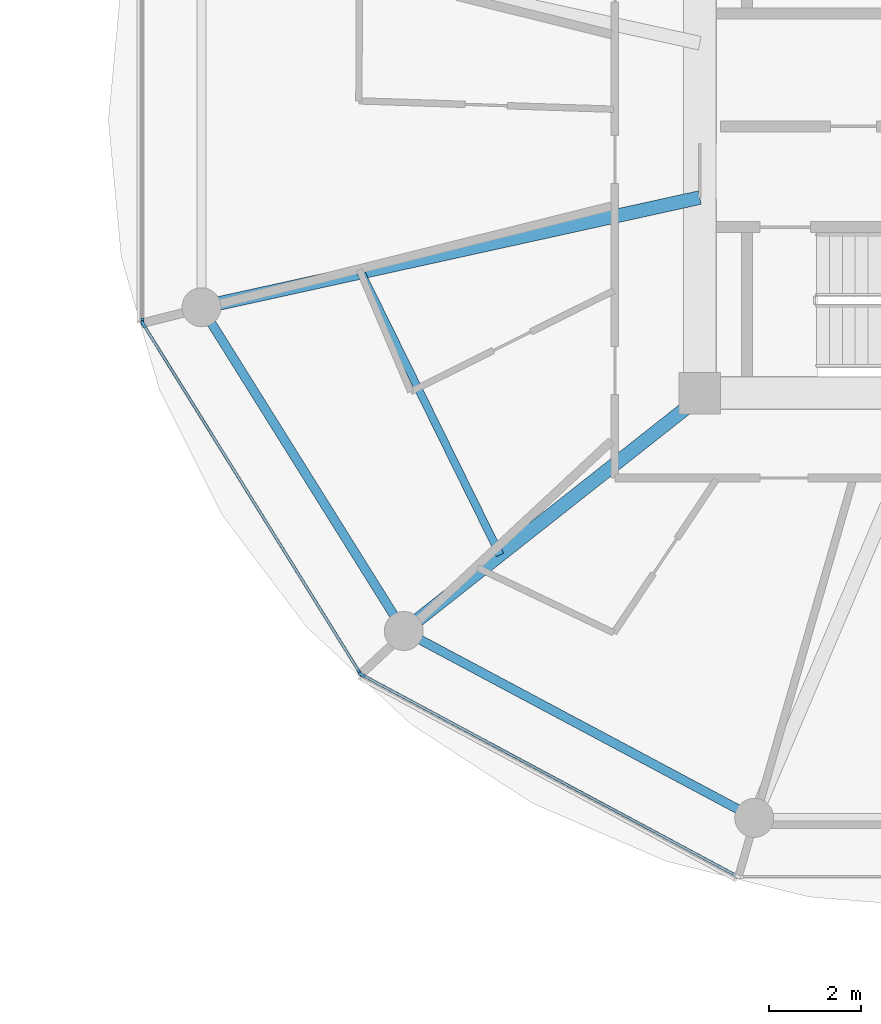
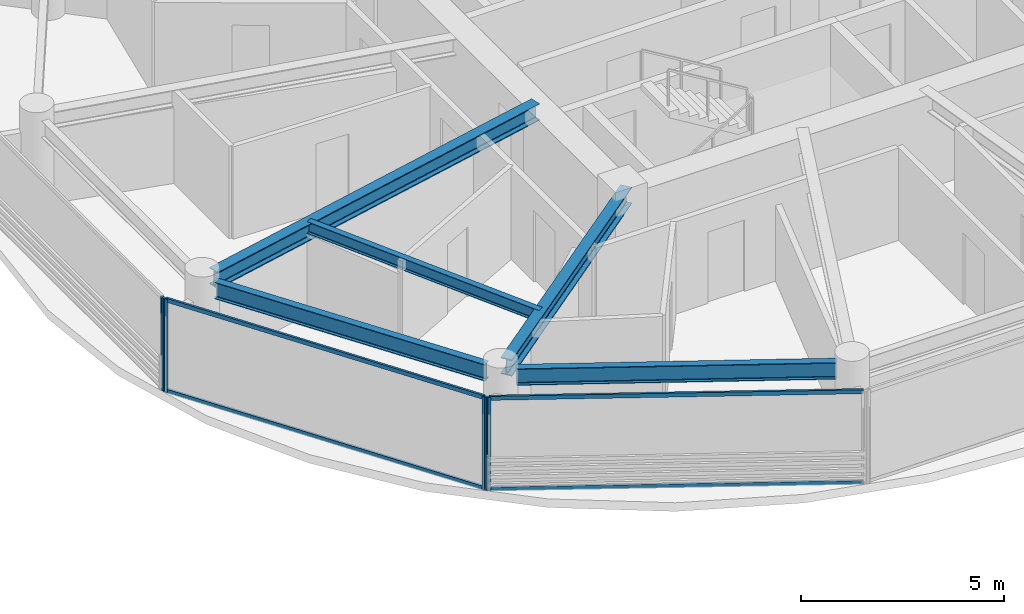
# One storey, part 6 of 24: 8 members, 5 beams, 3 elements without a shape of their own.
"""IFC4 building model written with IfcOpenShell, lengths in metres."""

from ifc_helpers import new_model, si_unit, direction, frame, origin, origin_2d, place, context, subcontext, project, spatial, rectangle, i_section, extrude, source, transform, mapped, material, layer, layer_set, material_profile, profile_set, type_object, type_shapes, element, aggregate, save


model = new_model("IFC4")

# Units and contexts
model_context = context("Model", 3, precision=1e-05, world=origin(), true_north=direction((0.0, 1.0)))
body_context = subcontext(model_context, "Body", "Model", "MODEL_VIEW")
ifc_project = project(units=[si_unit("LENGTHUNIT", "METRE"), si_unit("AREAUNIT", "SQUARE_METRE"), si_unit("VOLUMEUNIT", "CUBIC_METRE"), si_unit("PLANEANGLEUNIT", "RADIAN"), si_unit("MASSUNIT", "GRAM", prefix="KILO")], contexts=[model_context])

# Site, building, storey
site_placement = place(None, origin())
site = spatial("IfcSite", under=ifc_project, at=site_placement, CompositionType="ELEMENT")
building_placement = place(site_placement, origin())
building = spatial("IfcBuilding", under=site, at=building_placement, Name="Norrkilde Senior Care Towers", CompositionType="ELEMENT")
storey_placement = place(building_placement, frame((0.0, 0.0, 108.449951171875)))
storey = spatial("IfcBuildingStorey", under=building, at=storey_placement, Name="L33", CompositionType="ELEMENT", Elevation=108.449951171875)

# Beams
ifc_material_1 = material(Name="Steel S355", Category="steel")
ifc_material_profile_1 = material_profile(ifc_material_1, i_section(OverallWidth=0.199951171875, OverallDepth=0.5, WebThickness=0.01025390625, FlangeThickness=0.01611328125, FilletRadius=0.02099609375, at=origin_2d()), Name="IPE 500")
ifc_profile_set_1 = profile_set([ifc_material_profile_1], Name="Steel S355")
beam_type_1 = type_object("IfcBeamType", Name="Perimeter Ring Spandrel Z2 IPE500", PredefinedType="SPANDREL", material=ifc_profile_set_1)
shared_shape_1 = source(origin(), body_context, "Body", "SweptSolid", [
    extrude(i_section(OverallWidth=0.199951171875, OverallDepth=0.5, WebThickness=0.01025390625, FlangeThickness=0.01611328125, FilletRadius=0.02099609375, at=origin_2d()), origin(), (0.0, 0.0, 1.0), 7.55615234375),
])
beam_1_placement = place(storey_placement, frame((9.68505859375, -4.40283203125, 2.5400390625), z_axis=(0.529981514254, -0.848009194849, 0.0), x_axis=(0.848009194849, 0.529981514254, 0.0)))
element("IfcBeam", 1, at=beam_1_placement, inside=storey, type_object=beam_type_1, Name="L33 Drum E Perimeter Spandrel 07", PredefinedType="SPANDREL", context=body_context, shape_type="MappedRepresentation", body=[
    mapped(shared_shape_1, transform((0.0, 0.0, 0.0), x_axis=(1.0, 0.0, 0.0), y_axis=(0.0, 1.0, 0.0), z_axis=(0.0, 0.0, 1.0), scale=1.0)),
])
ifc_material_profile_2 = material_profile(ifc_material_1, i_section(OverallWidth=0.300048828125, OverallDepth=0.5, WebThickness=0.014404296875, FlangeThickness=0.028076171875, FilletRadius=0.027099609375, at=origin_2d()), Name="HEB 500")
ifc_profile_set_2 = profile_set([ifc_material_profile_2], Name="Steel S355")
beam_type_2 = type_object("IfcBeamType", Name="Radial Floor Beam Z2 HEB500", PredefinedType="BEAM", material=ifc_profile_set_2)
shared_shape_2 = source(origin(), body_context, "Body", "SweptSolid", [
    extrude(i_section(OverallWidth=0.300048828125, OverallDepth=0.5, WebThickness=0.014404296875, FlangeThickness=0.028076171875, FilletRadius=0.027099609375, at=origin_2d()), origin(), (0.0, 0.0, 1.0), 10.744384765625),
])
beam_2_placement = place(storey_placement, frame((20.35009765625, -1.683837890625, 2.5400390625), z_axis=(-0.976618711422, -0.214978818724, 0.0), x_axis=(0.214978818724, -0.976618711422, 0.0)))
element("IfcBeam", 2, at=beam_2_placement, inside=storey, type_object=beam_type_2, Name="L33 Drum E Radial Floor Beam 07", PredefinedType="BEAM", context=body_context, shape_type="MappedRepresentation", body=[
    mapped(shared_shape_2, transform((0.0, 0.0, 0.0), x_axis=(1.0, 0.0, 0.0), y_axis=(0.0, 1.0, 0.0), z_axis=(0.0, 0.0, 1.0), scale=1.0)),
])
shared_shape_3 = source(origin(), body_context, "Body", "SweptSolid", [
    extrude(i_section(OverallWidth=0.199951171875, OverallDepth=0.5, WebThickness=0.01025390625, FlangeThickness=0.01611328125, FilletRadius=0.02099609375, at=origin_2d()), origin(), (0.0, 0.0, 1.0), 7.892333984375),
])
type_shapes(beam_type_1, [shared_shape_1, shared_shape_3])
beam_3_placement = place(storey_placement, frame((14.233642578125, -11.318115234375, 2.5400390625), z_axis=(0.882350372282, -0.47059305194, 0.0), x_axis=(0.47059305194, 0.882350372282, 0.0)))
element("IfcBeam", 3, at=beam_3_placement, inside=storey, type_object=beam_type_1, Name="L33 Drum E Perimeter Spandrel 08", PredefinedType="SPANDREL", context=body_context, shape_type="MappedRepresentation", body=[
    mapped(shared_shape_3, transform((0.0, 0.0, 0.0), x_axis=(1.0, 0.0, 0.0), y_axis=(0.0, 1.0, 0.0), z_axis=(0.0, 0.0, 1.0), scale=1.0)),
])
shared_shape_4 = source(origin(), body_context, "Body", "SweptSolid", [
    extrude(i_section(OverallWidth=0.300048828125, OverallDepth=0.5, WebThickness=0.014404296875, FlangeThickness=0.028076171875, FilletRadius=0.027099609375, at=origin_2d()), origin(), (0.0, 0.0, 1.0), 7.985595703125),
])
type_shapes(beam_type_2, [shared_shape_2, shared_shape_4])
beam_4_placement = place(storey_placement, frame((20.463623046875, -5.949951171875, 2.5400390625), z_axis=(-0.784858505144, -0.619675017169, 0.0), x_axis=(0.619675017169, -0.784858505144, 0.0)))
element("IfcBeam", 4, at=beam_4_placement, inside=storey, type_object=beam_type_2, Name="L33 Drum E Radial Floor Beam 08", PredefinedType="BEAM", context=body_context, shape_type="MappedRepresentation", body=[
    mapped(shared_shape_4, transform((0.0, 0.0, 0.0), x_axis=(1.0, 0.0, 0.0), y_axis=(0.0, 1.0, 0.0), z_axis=(0.0, 0.0, 1.0), scale=1.0)),
])
ifc_material_profile_3 = material_profile(ifc_material_1, i_section(OverallWidth=0.169921875, OverallDepth=0.360107421875, WebThickness=0.008056640625, FlangeThickness=0.0126953125, FilletRadius=0.01806640625, at=origin_2d()), Name="IPE 360")
ifc_profile_set_3 = profile_set([ifc_material_profile_3], Name="Steel S355")
beam_type_3 = type_object("IfcBeamType", Name="Secondary Floor Joist IPE360", PredefinedType="JOIST", material=ifc_profile_set_3)
shared_shape_5 = source(origin(), body_context, "Body", "SweptSolid", [
    extrude(i_section(OverallWidth=0.169921875, OverallDepth=0.360107421875, WebThickness=0.008056640625, FlangeThickness=0.0126953125, FilletRadius=0.01806640625, at=origin_2d()), origin(), (0.0, 0.0, 1.0), 6.87353515625),
])
type_shapes(beam_type_3, [shared_shape_5])
beam_5_placement = place(storey_placement, frame((12.958984375, -3.310791015625, 2.610107421875), z_axis=(0.44184939592, -0.897089243791, 0.0), x_axis=(0.897089243791, 0.44184939592, 0.0)))
element("IfcBeam", 5, at=beam_5_placement, inside=storey, type_object=beam_type_3, Name="L33 Drum E Secondary Floor Joist 3", PredefinedType="JOIST", context=body_context, shape_type="MappedRepresentation", body=[
    mapped(shared_shape_5, transform((0.0, 0.0, 0.0), x_axis=(1.0, 0.0, 0.0), y_axis=(0.0, 1.0, 0.0), z_axis=(0.0, 0.0, 1.0), scale=1.0)),
])

# Curtain wall, member
ifc_material_2 = material(Name="Triple Low-E Insulated Glazing", Category="glass")
ifc_layer = layer(ifc_material_2, 0.195068359375)
ifc_layer_set = layer_set([ifc_layer], Name="Triple Low-E Insulated Glazing")
curtain_wall_type = type_object("IfcCurtainWallType", Name="CW3 Zone 2 Assisted Living Curtain Wall", PredefinedType="NOTDEFINED", material=ifc_layer_set)
curtain_wall_1_placement = place(storey_placement, origin())
curtain_wall_1 = element("IfcCurtainWall", 6, at=curtain_wall_1_placement, inside=storey, type_object=curtain_wall_type, Name="L33 Drum E Curtain Wall 05", PredefinedType="NOTDEFINED")
ifc_material_3 = material(Name="Anodised Aluminium", Category="aluminium")
ifc_material_profile_4 = material_profile(ifc_material_3, rectangle(XDim=0.06494140625, YDim=0.159912109375, at=origin_2d()), Name="ALU MULL 65x160")
ifc_profile_set_4 = profile_set([ifc_material_profile_4], Name="Anodised Aluminium")
member_type_1 = type_object("IfcMemberType", Name="Curtain Wall Mullion Z1-Z2 65x160", PredefinedType="MULLION", material=ifc_profile_set_4)
shared_shape_6 = source(origin(), body_context, "Body", "SweptSolid", [
    extrude(rectangle(XDim=0.06494140625, YDim=0.159912109375, at=origin_2d()), origin(), (0.0, 0.0, 1.0), 2.7900390625),
])
type_shapes(member_type_1, [shared_shape_6])
member_1_placement = place(storey_placement, frame((8.1962890625, -4.38818359375, 0.0), z_axis=(0.0, 0.0, 1.0), x_axis=(-1.0, 0.0, 0.0)))
member_1 = element("IfcMember", 7, at=member_1_placement, type_object=member_type_1, Name="CW-3 mullion 1", PredefinedType="MULLION", context=body_context, shape_type="MappedRepresentation", body=[
    mapped(shared_shape_6, transform((0.0, 0.0, 0.0), x_axis=(1.0, 0.0, 0.0), y_axis=(0.0, 1.0, 0.0), z_axis=(0.0, 0.0, 1.0), scale=1.0)),
])
aggregate(curtain_wall_1, [member_1])

# Curtain wall, members
curtain_wall_2_placement = place(storey_placement, origin())
curtain_wall_2 = element("IfcCurtainWall", 8, at=curtain_wall_2_placement, inside=storey, type_object=curtain_wall_type, Name="L33 Drum E Curtain Wall 06", PredefinedType="NOTDEFINED")
member_2_placement = place(storey_placement, frame((12.936279296875, -12.0498046875, 0.0), z_axis=(0.0, 0.0, 1.0), x_axis=(-0.849410171862, -0.527733228002, 0.0)))
member_2 = element("IfcMember", 9, at=member_2_placement, type_object=member_type_1, Name="CW-3 mullion 1", PredefinedType="MULLION", context=body_context, shape_type="MappedRepresentation", body=[
    mapped(shared_shape_6, transform((0.0, 0.0, 0.0), x_axis=(1.0, 0.0, 0.0), y_axis=(0.0, 1.0, 0.0), z_axis=(0.0, 0.0, 1.0), scale=1.0)),
])
member_3_placement = place(storey_placement, frame((8.21337890625, -4.4482421875, 0.0), z_axis=(0.0, 0.0, 1.0), x_axis=(-0.849410171862, -0.527733228002, 0.0)))
member_3 = element("IfcMember", 10, at=member_3_placement, type_object=member_type_1, Name="CW-3 mullion 2", PredefinedType="MULLION", context=body_context, shape_type="MappedRepresentation", body=[
    mapped(shared_shape_6, transform((0.0, 0.0, 0.0), x_axis=(1.0, 0.0, 0.0), y_axis=(0.0, 1.0, 0.0), z_axis=(0.0, 0.0, 1.0), scale=1.0)),
])

# Curtain wall, member
curtain_wall_3_placement = place(storey_placement, origin())
curtain_wall_3 = element("IfcCurtainWall", 11, at=curtain_wall_3_placement, inside=storey, type_object=curtain_wall_type, Name="L33 Drum E Curtain Wall 07", PredefinedType="NOTDEFINED")
member_4_placement = place(storey_placement, frame((12.98193359375, -12.0927734375, 0.0), z_axis=(0.0, 0.0, 1.0), x_axis=(-0.472769402511, -0.881186184668, 0.0)))
member_4 = element("IfcMember", 12, at=member_4_placement, type_object=member_type_1, Name="CW-3 mullion 2", PredefinedType="MULLION", context=body_context, shape_type="MappedRepresentation", body=[
    mapped(shared_shape_6, transform((0.0, 0.0, 0.0), x_axis=(1.0, 0.0, 0.0), y_axis=(0.0, 1.0, 0.0), z_axis=(0.0, 0.0, 1.0), scale=1.0)),
])

# Member
ifc_material_profile_5 = material_profile(ifc_material_3, rectangle(XDim=0.06005859375, YDim=0.1201171875, at=origin_2d()), Name="ALU TRAN 60x120")
ifc_profile_set_5 = profile_set([ifc_material_profile_5], Name="Anodised Aluminium")
member_type_2 = type_object("IfcMemberType", Name="Curtain Wall Transom Typical 60x120", PredefinedType="USERDEFINED", material=ifc_profile_set_5)
shared_shape_7 = source(origin(), body_context, "Body", "SweptSolid", [
    extrude(rectangle(XDim=0.06005859375, YDim=0.1201171875, at=origin_2d()), origin(), (0.0, 0.0, 1.0), 8.88427734375),
])
member_5_placement = place(storey_placement, frame((12.919189453125, -12.022216796875, 0.030029296875), z_axis=(-0.527749293309, 0.849400190377, 0.0), x_axis=(-0.849400190377, -0.527749293309, 0.0)))
member_5 = element("IfcMember", 13, at=member_5_placement, type_object=member_type_2, Name="CW-3 transom 1.1", ObjectType="TRANSOM", PredefinedType="USERDEFINED", context=body_context, shape_type="MappedRepresentation", body=[
    mapped(shared_shape_7, transform((0.0, 0.0, 0.0), x_axis=(1.0, 0.0, 0.0), y_axis=(0.0, 1.0, 0.0), z_axis=(0.0, 0.0, 1.0), scale=1.0)),
])

member_6_placement = place(storey_placement, frame((12.919189453125, -12.022216796875, 2.760009765625), z_axis=(-0.527749293309, 0.849400190377, 0.0), x_axis=(-0.849400190377, -0.527749293309, 0.0)))
member_6 = element("IfcMember", 14, at=member_6_placement, type_object=member_type_2, Name="CW-3 transom 1.2", ObjectType="TRANSOM", PredefinedType="USERDEFINED", context=body_context, shape_type="MappedRepresentation", body=[
    mapped(shared_shape_7, transform((0.0, 0.0, 0.0), x_axis=(1.0, 0.0, 0.0), y_axis=(0.0, 1.0, 0.0), z_axis=(0.0, 0.0, 1.0), scale=1.0)),
])

aggregate(curtain_wall_2, [member_2, member_3, member_5, member_6])

shared_shape_8 = source(origin(), body_context, "Body", "SweptSolid", [
    extrude(rectangle(XDim=0.06005859375, YDim=0.1201171875, at=origin_2d()), origin(), (0.0, 0.0, 1.0), 9.220458984375),
])
type_shapes(member_type_2, [shared_shape_7, shared_shape_8])
member_7_placement = place(storey_placement, frame((21.1357421875, -16.46728515625, 0.030029296875), z_axis=(-0.881188517866, 0.472765053681, 0.0), x_axis=(-0.472765053681, -0.881188517866, 0.0)))
member_7 = element("IfcMember", 15, at=member_7_placement, type_object=member_type_2, Name="CW-3 transom 1.1", ObjectType="TRANSOM", PredefinedType="USERDEFINED", context=body_context, shape_type="MappedRepresentation", body=[
    mapped(shared_shape_8, transform((0.0, 0.0, 0.0), x_axis=(1.0, 0.0, 0.0), y_axis=(0.0, 1.0, 0.0), z_axis=(0.0, 0.0, 1.0), scale=1.0)),
])

member_8_placement = place(storey_placement, frame((21.1357421875, -16.46728515625, 2.760009765625), z_axis=(-0.881188517866, 0.472765053681, 0.0), x_axis=(-0.472765053681, -0.881188517866, 0.0)))
member_8 = element("IfcMember", 16, at=member_8_placement, type_object=member_type_2, Name="CW-3 transom 1.2", ObjectType="TRANSOM", PredefinedType="USERDEFINED", context=body_context, shape_type="MappedRepresentation", body=[
    mapped(shared_shape_8, transform((0.0, 0.0, 0.0), x_axis=(1.0, 0.0, 0.0), y_axis=(0.0, 1.0, 0.0), z_axis=(0.0, 0.0, 1.0), scale=1.0)),
])

aggregate(curtain_wall_3, [member_4, member_7, member_8])

save(model, "model.ifc")
